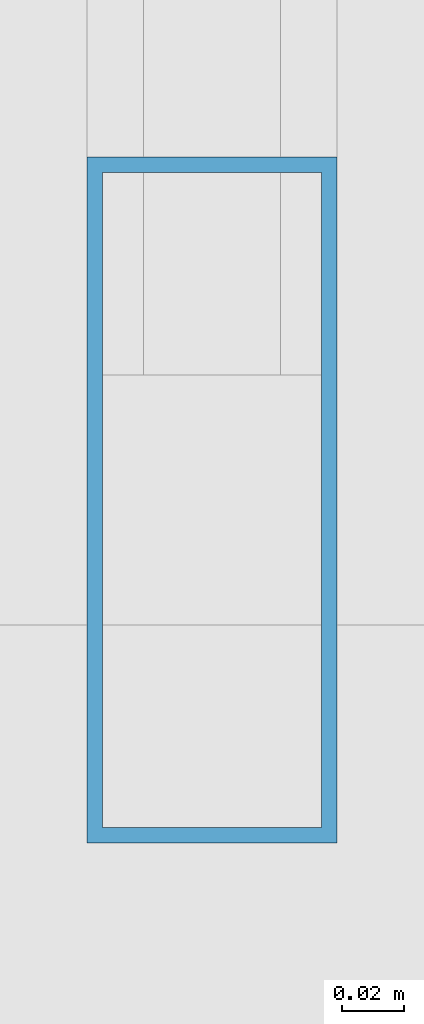
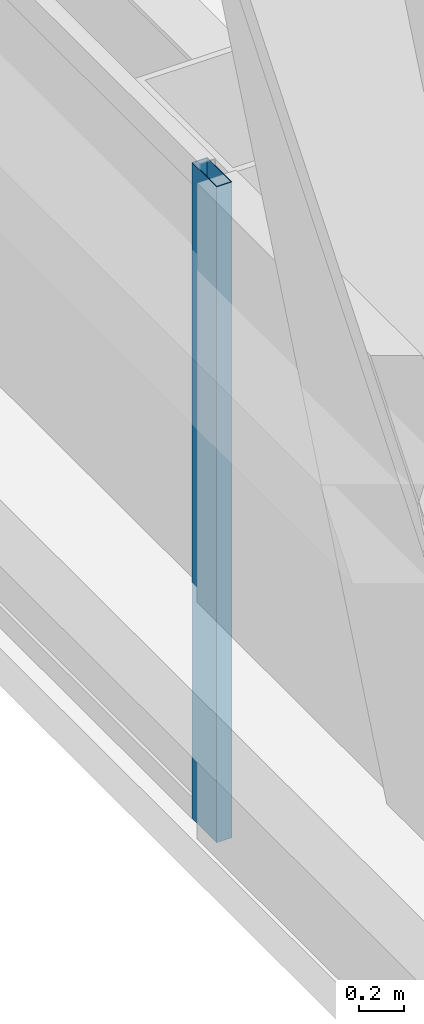
# One storey, part 8 of 54: 1 member, 1 element without a shape of its own.
"""IFC4 building model written with IfcOpenShell, lengths in metres."""

from ifc_helpers import new_model, si_unit, direction, frame, origin, origin_2d, place, context, subcontext, project, spatial, hollow_rectangle, extrude, material, material_profile, profile_set, type_object, element, aggregate, save


model = new_model("IFC4")

# Units and contexts
model_context = context("Model", 3, precision=1e-05, world=origin(), true_north=direction((0.0, 1.0)))
body_context = subcontext(model_context, "Body", "Model", "MODEL_VIEW")
ifc_project = project(units=[si_unit("LENGTHUNIT", "METRE"), si_unit("AREAUNIT", "SQUARE_METRE"), si_unit("VOLUMEUNIT", "CUBIC_METRE"), si_unit("PLANEANGLEUNIT", "RADIAN"), si_unit("MASSUNIT", "GRAM", prefix="KILO")], contexts=[model_context])

# Site, building, storey
site_placement = place(None, origin())
site = spatial("IfcSite", under=ifc_project, at=site_placement, CompositionType="ELEMENT")
building_placement = place(site_placement, origin())
building = spatial("IfcBuilding", under=site, at=building_placement, Name="Tashvorn Skyway Center", CompositionType="ELEMENT")
storey_placement = place(building_placement, frame((0.0, 0.0, 88.5)))
storey = spatial("IfcBuildingStorey", under=building, at=storey_placement, Name="L23", CompositionType="ELEMENT", Elevation=88.5)

# Curtain wall, member
ifc_material = material(Name="Thermally broken bronze-anodized aluminium 6063-T6", Category="aluminium")
curtain_wall_type = type_object("IfcCurtainWallType", Name="CW-CW-Z2", PredefinedType="NOTDEFINED", material=ifc_material)
curtain_wall_placement = place(storey_placement, origin())
curtain_wall = element("IfcCurtainWall", 1, at=curtain_wall_placement, inside=storey, type_object=curtain_wall_type, Name="Tower 1 L23 West Unitised Curtain Wall Glazing Group 2", PredefinedType="NOTDEFINED")
ifc_material_profile = material_profile(ifc_material, hollow_rectangle(XDim=0.080078125, YDim=0.219970703125, WallThickness=0.0048828125, at=origin_2d()), Name="ALU-MULL-80x220")
ifc_profile_set = profile_set([ifc_material_profile], Name="Thermally broken bronze-anodized aluminium 6063-T6")
member_type = type_object("IfcMemberType", Name="CWM-CW-Z2", PredefinedType="MULLION", material=ifc_profile_set)
member_placement = place(storey_placement, frame((21.02001953125, 25.97998046875, 0.0), z_axis=(0.0, 0.0, 1.0), x_axis=(-1.0, 0.0, 0.0)))
member = element("IfcMember", 2, at=member_placement, type_object=member_type, Name="CW-Z2 mullion 1", PredefinedType="MULLION", context=body_context, shape_type="SweptSolid", body=[
    extrude(hollow_rectangle(XDim=0.080078125, YDim=0.219970703125, WallThickness=0.0048828125, at=origin_2d()), origin(), (0.0, 0.0, 1.0), 3.550048828125),
])
aggregate(curtain_wall, [member])

save(model, "model.ifc")
